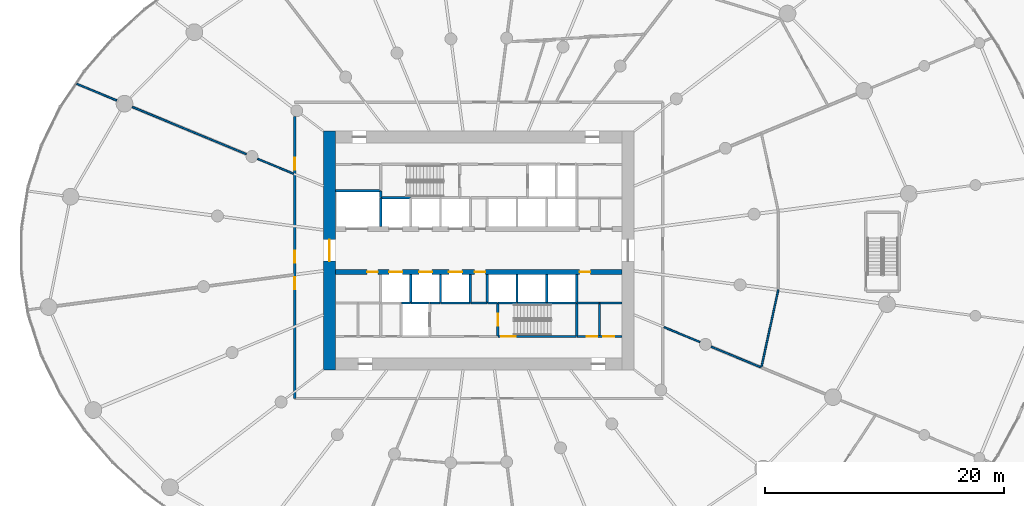
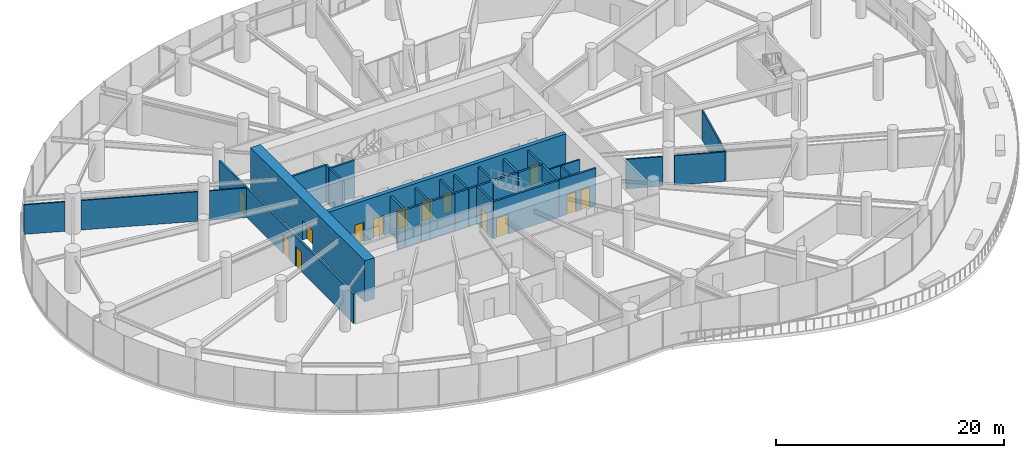
# One storey, part 13 of 21: 36 walls, 14 doors, 14 openings.
"""IFC4 building model written with IfcOpenShell, lengths in metres."""

from ifc_helpers import new_model, si_unit, direction, frame, frame_2d, origin, place, context, subcontext, project, spatial, rectangle, extrude, source, transform, mapped, material, layer, layer_set, type_object, element, fill, save


model = new_model("IFC4")

# Units and contexts
model_context = context("Model", 3, precision=1e-05, world=origin(), true_north=direction((0.0, 1.0)))
body_context = subcontext(model_context, "Body", "Model", "MODEL_VIEW")
ifc_project = project(units=[si_unit("LENGTHUNIT", "METRE"), si_unit("AREAUNIT", "SQUARE_METRE"), si_unit("VOLUMEUNIT", "CUBIC_METRE"), si_unit("PLANEANGLEUNIT", "RADIAN"), si_unit("MASSUNIT", "GRAM", prefix="KILO")], contexts=[model_context])

# Site, building, storey
site_placement = place(None, origin())
site = spatial("IfcSite", under=ifc_project, at=site_placement, CompositionType="ELEMENT")
building_placement = place(site_placement, origin())
building = spatial("IfcBuilding", under=site, at=building_placement, Name="Spindrift Exchange Tower", CompositionType="ELEMENT")
storey_placement = place(building_placement, frame((0.0, 0.0, 9.39990234375)))
storey = spatial("IfcBuildingStorey", under=building, at=storey_placement, Name="L02", CompositionType="ELEMENT", Elevation=9.39990234375)

# Wall, opening, door
ifc_material_1 = material(Name="Concrete 80 MPa", Category="concrete")
ifc_layer_1 = layer(ifc_material_1, 1.0)
ifc_layer_set_1 = layer_set([ifc_layer_1], Name="RC Core Wall 1000 Concrete 80 MPa")
wall_type_1 = type_object("IfcWallType", Name="RC Core Wall 1000 Concrete 80 MPa", PredefinedType="SHEAR", material=ifc_layer_set_1)
wall_1_placement = place(storey_placement, frame((39.5, 58.0, 0.0), z_axis=(0.0, 0.0, 1.0), x_axis=(0.0, -1.0, 0.0)))
wall_1 = element("IfcWall", 1, at=wall_1_placement, inside=storey, type_object=wall_type_1, Name="Core wall W L02", PredefinedType="SHEAR", context=body_context, shape_type="SweptSolid", body=[
    extrude(rectangle(XDim=20.0, YDim=1.0, at=frame_2d((10.0, 0.0))), origin(), (0.0, 0.0, 1.0), 4.400146484375),
])
opening_1_placement = place(wall_1_placement, frame((9.10009765625, 0.0, 0.0)))
opening_1 = element("IfcOpeningElement", 2, at=opening_1_placement, cuts=wall_1, Name="Opening L02-D1", PredefinedType="OPENING", context=body_context, shape_type="SweptSolid", body=[
    extrude(rectangle(XDim=1.800048828125, YDim=2.10009765625, at=frame_2d((0.89990234375, 1.050048828125))), frame((0.0, 0.510009765625, 0.0), z_axis=(0.0, -1.0, 0.0), x_axis=(1.0, 0.0, 0.0)), (0.0, 0.0, 1.0), 1.02001953125),
])
ifc_material_2 = material(Name="Timber-core fire door", Category="wood")
door_type_1 = type_object("IfcDoorType", Name="DR-LOBBY-1800", OperationType="NOTDEFINED", PredefinedType="DOOR", material=ifc_material_2)
shared_shape_1 = source(origin(), body_context, "Body", "SweptSolid", [
    extrude(rectangle(XDim=1.800048828125, YDim=2.10009765625, at=frame_2d((0.89990234375, 1.050048828125))), frame((0.0, 0.02490234375, 0.0), z_axis=(0.0, -1.0, 0.0), x_axis=(1.0, 0.0, 0.0)), (0.0, 0.0, 1.0), 0.050048828125),
])
door_1_placement = place(opening_1_placement, origin())
door_1 = element("IfcDoor", 3, at=door_1_placement, inside=storey, type_object=door_type_1, Name="L02 Lobby door 1", OperationType="SINGLE_SWING_LEFT", OverallHeight=2.10009765625, OverallWidth=1.800048828125, PredefinedType="DOOR", context=body_context, shape_type="MappedRepresentation", body=[
    mapped(shared_shape_1, transform((0.0, 0.0, 0.0), scale=1.0)),
])
fill(opening_1, door_1)

# Wall, openings, doors
ifc_layer_2 = layer(ifc_material_1, 0.39990234375)
ifc_layer_set_2 = layer_set([ifc_layer_2], Name="RC Spine Wall 400 Concrete 80 MPa")
wall_type_2 = type_object("IfcWallType", Name="RC Spine Wall 400 Concrete 80 MPa", PredefinedType="SHEAR", material=ifc_layer_set_2)
wall_2_placement = place(storey_placement, frame((40.0, 46.199951171875, 0.0), z_axis=(0.0, 0.0, 1.0), x_axis=(1.0, 0.0, 0.0)))
wall_2 = element("IfcWall", 4, at=wall_2_placement, inside=storey, type_object=wall_type_2, Name="Core spine wall S L02", PredefinedType="SHEAR", context=body_context, shape_type="SweptSolid", body=[
    extrude(rectangle(XDim=24.0, YDim=0.39990234375, at=frame_2d((12.0, 0.0))), origin(), (0.0, 0.0, 1.0), 4.400146484375),
])
opening_2_placement = place(wall_2_placement, frame((4.5, 0.0, 0.0)))
opening_2 = element("IfcOpeningElement", 5, at=opening_2_placement, cuts=wall_2, Name="Opening L02-D6", PredefinedType="OPENING", context=body_context, shape_type="SweptSolid", body=[
    extrude(rectangle(XDim=1.10009765625, YDim=2.10009765625, at=frame_2d((0.550048828125, 1.050048828125))), frame((0.0, 0.2099609375, 0.0), z_axis=(0.0, -1.0, 0.0), x_axis=(1.0, 0.0, 0.0)), (0.0, 0.0, 1.0), 0.419921875),
])
opening_3_placement = place(wall_2_placement, frame((7.0, 0.0, 0.0)))
opening_3 = element("IfcOpeningElement", 6, at=opening_3_placement, cuts=wall_2, Name="Opening L02-D7", PredefinedType="OPENING", context=body_context, shape_type="SweptSolid", body=[
    extrude(rectangle(XDim=1.10009765625, YDim=2.10009765625, at=frame_2d((0.550048828125, 1.050048828125))), frame((0.0, 0.2099609375, 0.0), z_axis=(0.0, -1.0, 0.0), x_axis=(1.0, 0.0, 0.0)), (0.0, 0.0, 1.0), 0.419921875),
])
opening_4_placement = place(wall_2_placement, frame((9.5, 0.0, 0.0)))
opening_4 = element("IfcOpeningElement", 7, at=opening_4_placement, cuts=wall_2, Name="Opening L02-D8", PredefinedType="OPENING", context=body_context, shape_type="SweptSolid", body=[
    extrude(rectangle(XDim=1.10009765625, YDim=2.10009765625, at=frame_2d((0.550048828125, 1.050048828125))), frame((0.0, 0.2099609375, 0.0), z_axis=(0.0, -1.0, 0.0), x_axis=(1.0, 0.0, 0.0)), (0.0, 0.0, 1.0), 0.419921875),
])
opening_5_placement = place(wall_2_placement, frame((20.449951171875, 0.0, 0.0)))
opening_5 = element("IfcOpeningElement", 8, at=opening_5_placement, cuts=wall_2, Name="Opening L02-D48", PredefinedType="OPENING", context=body_context, shape_type="SweptSolid", body=[
    extrude(rectangle(XDim=0.89990234375, YDim=2.10009765625, at=frame_2d((0.449951171875, 1.050048828125))), frame((0.0, 0.2099609375, 0.0), z_axis=(0.0, -1.0, 0.0), x_axis=(1.0, 0.0, 0.0)), (0.0, 0.0, 1.0), 0.419921875),
])
opening_6_placement = place(wall_2_placement, frame((2.64990234375, 0.0, 0.0)))
opening_6 = element("IfcOpeningElement", 9, at=opening_6_placement, cuts=wall_2, Name="Opening L02-D54", PredefinedType="OPENING", context=body_context, shape_type="SweptSolid", body=[
    extrude(rectangle(XDim=0.89990234375, YDim=2.10009765625, at=frame_2d((0.449951171875, 1.050048828125))), frame((0.0, 0.2099609375, 0.0), z_axis=(0.0, -1.0, 0.0), x_axis=(1.0, 0.0, 0.0)), (0.0, 0.0, 1.0), 0.419921875),
])
opening_7_placement = place(wall_2_placement, frame((11.64990234375, 0.0, 0.0)))
opening_7 = element("IfcOpeningElement", 10, at=opening_7_placement, cuts=wall_2, Name="Opening L02-D56", PredefinedType="OPENING", context=body_context, shape_type="SweptSolid", body=[
    extrude(rectangle(XDim=0.89990234375, YDim=2.10009765625, at=frame_2d((0.449951171875, 1.050048828125))), frame((0.0, 0.2099609375, 0.0), z_axis=(0.0, -1.0, 0.0), x_axis=(1.0, 0.0, 0.0)), (0.0, 0.0, 1.0), 0.419921875),
])
ifc_material_3 = material(Name="Stainless steel landing door", Category="steel")
door_type_2 = type_object("IfcDoorType", Name="DR-LANDING-1100-SL", OperationType="DOUBLE_DOOR_SLIDING", PredefinedType="USERDEFINED", material=ifc_material_3)
shared_shape_2 = source(origin(), body_context, "Body", "SweptSolid", [
    extrude(rectangle(XDim=1.10009765625, YDim=2.10009765625, at=frame_2d((0.550048828125, 1.050048828125))), frame((0.0, 0.02490234375, 0.0), z_axis=(0.0, -1.0, 0.0), x_axis=(1.0, 0.0, 0.0)), (0.0, 0.0, 1.0), 0.050048828125),
])
door_2_placement = place(opening_2_placement, origin())
door_2 = element("IfcDoor", 11, at=door_2_placement, inside=storey, type_object=door_type_2, Name="L02 Lift landing door 6", ObjectType="LANDING DOOR", OperationType="DOUBLE_DOOR_SLIDING", OverallHeight=2.10009765625, OverallWidth=1.10009765625, PredefinedType="USERDEFINED", context=body_context, shape_type="MappedRepresentation", body=[
    mapped(shared_shape_2, transform((0.0, 0.0, 0.0), scale=1.0)),
])
fill(opening_2, door_2)
door_3_placement = place(opening_3_placement, origin())
door_3 = element("IfcDoor", 12, at=door_3_placement, inside=storey, type_object=door_type_2, Name="L02 Lift landing door 7", ObjectType="LANDING DOOR", OperationType="DOUBLE_DOOR_SLIDING", OverallHeight=2.10009765625, OverallWidth=1.10009765625, PredefinedType="USERDEFINED", context=body_context, shape_type="MappedRepresentation", body=[
    mapped(shared_shape_2, transform((0.0, 0.0, 0.0), scale=1.0)),
])
fill(opening_3, door_3)
door_4_placement = place(opening_4_placement, origin())
door_4 = element("IfcDoor", 13, at=door_4_placement, inside=storey, type_object=door_type_2, Name="L02 Lift landing door 8", ObjectType="LANDING DOOR", OperationType="DOUBLE_DOOR_SLIDING", OverallHeight=2.10009765625, OverallWidth=1.10009765625, PredefinedType="USERDEFINED", context=body_context, shape_type="MappedRepresentation", body=[
    mapped(shared_shape_2, transform((0.0, 0.0, 0.0), scale=1.0)),
])
fill(opening_4, door_4)
ifc_material_4 = material(Name="Steel access door", Category="steel")
door_type_3 = type_object("IfcDoorType", Name="DR-RISER-900", OperationType="NOTDEFINED", PredefinedType="DOOR", material=ifc_material_4)
shared_shape_3 = source(origin(), body_context, "Body", "SweptSolid", [
    extrude(rectangle(XDim=0.89990234375, YDim=2.10009765625, at=frame_2d((0.449951171875, 1.050048828125))), frame((0.0, 0.02490234375, 0.0), z_axis=(0.0, -1.0, 0.0), x_axis=(1.0, 0.0, 0.0)), (0.0, 0.0, 1.0), 0.050048828125),
])
door_5_placement = place(opening_5_placement, origin())
door_5 = element("IfcDoor", 14, at=door_5_placement, inside=storey, type_object=door_type_3, Name="L02 Riser door 48", OperationType="SINGLE_SWING_RIGHT", OverallHeight=2.10009765625, OverallWidth=0.89990234375, PredefinedType="DOOR", context=body_context, shape_type="MappedRepresentation", body=[
    mapped(shared_shape_3, transform((0.0, 0.0, 0.0), scale=1.0)),
])
fill(opening_5, door_5)
door_6_placement = place(opening_6_placement, origin())
door_6 = element("IfcDoor", 15, at=door_6_placement, inside=storey, type_object=door_type_3, Name="L02 Riser door 54", OperationType="SINGLE_SWING_RIGHT", OverallHeight=2.10009765625, OverallWidth=0.89990234375, PredefinedType="DOOR", context=body_context, shape_type="MappedRepresentation", body=[
    mapped(shared_shape_3, transform((0.0, 0.0, 0.0), scale=1.0)),
])
fill(opening_6, door_6)
door_7_placement = place(opening_7_placement, origin())
door_7 = element("IfcDoor", 16, at=door_7_placement, inside=storey, type_object=door_type_3, Name="L02 Riser door 56", OperationType="SINGLE_SWING_RIGHT", OverallHeight=2.10009765625, OverallWidth=0.89990234375, PredefinedType="DOOR", context=body_context, shape_type="MappedRepresentation", body=[
    mapped(shared_shape_3, transform((0.0, 0.0, 0.0), scale=1.0)),
])
fill(opening_7, door_7)

ifc_material_5 = material(Name="Fire-rated plasterboard partition", Category="gypsum")
ifc_layer_3 = layer(ifc_material_5, 0.179931640625)
ifc_layer_set_3 = layer_set([ifc_layer_3], Name="W-CORR-180")
wall_type_3 = type_object("IfcWallType", Name="W-CORR-180", PredefinedType="PARTITIONING", material=ifc_layer_set_3)
wall_3_placement = place(storey_placement, frame((60.22998046875, 40.800048828125, 0.0), z_axis=(0.0, 0.0, 1.0), x_axis=(1.0, 0.0, 0.0)))
wall_3 = element("IfcWall", 17, at=wall_3_placement, inside=storey, type_object=wall_type_3, Name="L02 Partition wall 67", PredefinedType="PARTITIONING", context=body_context, shape_type="SweptSolid", body=[
    extrude(rectangle(XDim=3.75, YDim=0.179931640625, at=frame_2d((1.875, 0.0))), origin(), (0.0, 0.0, 1.0), 3.9501953125),
])
opening_8_placement = place(wall_3_placement, frame((0.800048828125, 0.0, 0.0)))
opening_8 = element("IfcOpeningElement", 18, at=opening_8_placement, cuts=wall_3, Name="Opening L02-D52", PredefinedType="OPENING", context=body_context, shape_type="SweptSolid", body=[
    extrude(rectangle(XDim=0.89990234375, YDim=2.10009765625, at=frame_2d((0.449951171875, 1.050048828125))), frame((0.0, 0.099853515625, 0.0), z_axis=(0.0, -1.0, 0.0), x_axis=(1.0, 0.0, 0.0)), (0.0, 0.0, 1.0), 0.199951171875),
])
opening_9_placement = place(wall_3_placement, frame((2.199951171875, 0.0, 0.0)))
opening_9 = element("IfcOpeningElement", 19, at=opening_9_placement, cuts=wall_3, Name="Opening L02-D53", PredefinedType="OPENING", context=body_context, shape_type="SweptSolid", body=[
    extrude(rectangle(XDim=0.89990234375, YDim=2.10009765625, at=frame_2d((0.449951171875, 1.050048828125))), frame((0.0, 0.099853515625, 0.0), z_axis=(0.0, -1.0, 0.0), x_axis=(1.0, 0.0, 0.0)), (0.0, 0.0, 1.0), 0.199951171875),
])
door_8_placement = place(opening_8_placement, origin())
door_8 = element("IfcDoor", 20, at=door_8_placement, inside=storey, type_object=door_type_3, Name="L02 Riser door 52", OperationType="SINGLE_SWING_RIGHT", OverallHeight=2.10009765625, OverallWidth=0.89990234375, PredefinedType="DOOR", context=body_context, shape_type="MappedRepresentation", body=[
    mapped(shared_shape_3, transform((0.0, 0.0, 0.0), scale=1.0)),
])
fill(opening_8, door_8)
door_9_placement = place(opening_9_placement, origin())
door_9 = element("IfcDoor", 21, at=door_9_placement, inside=storey, type_object=door_type_3, Name="L02 Riser door 53", OperationType="SINGLE_SWING_LEFT", OverallHeight=2.10009765625, OverallWidth=0.89990234375, PredefinedType="DOOR", context=body_context, shape_type="MappedRepresentation", body=[
    mapped(shared_shape_3, transform((0.0, 0.0, 0.0), scale=1.0)),
])
fill(opening_9, door_9)

# Walls
ifc_layer_4 = layer(ifc_material_5, 0.139892578125)
ifc_layer_set_4 = layer_set([ifc_layer_4], Name="W-PART-140")
wall_type_4 = type_object("IfcWallType", Name="W-PART-140", PredefinedType="PARTITIONING", material=ifc_layer_set_4)
wall_4_placement = place(storey_placement, frame((75.64990234375, 38.203857421875, 0.0), z_axis=(0.0, 0.0, 1.0), x_axis=(0.212219247402, 0.977222078666, 0.0)))
element("IfcWall", 22, at=wall_4_placement, inside=storey, type_object=wall_type_4, Name="L02 Partition wall 85", PredefinedType="PARTITIONING", context=body_context, shape_type="SweptSolid", body=[
    extrude(rectangle(XDim=6.648193359375, YDim=0.139892578125, at=frame_2d((3.32421875, 0.0))), origin(), (0.0, 0.0, 1.0), 3.150146484375),
])
wall_5_placement = place(storey_placement, frame((62.10009765625, 40.889892578125, 0.0), z_axis=(0.0, 0.0, 1.0), x_axis=(0.0, 1.0, 0.0)))
element("IfcWall", 23, at=wall_5_placement, inside=storey, type_object=wall_type_4, Name="L02 Partition wall 114", PredefinedType="PARTITIONING", context=body_context, shape_type="SweptSolid", body=[
    extrude(rectangle(XDim=2.710205078125, YDim=0.139892578125, at=frame_2d((1.35498046875, 0.0))), origin(), (0.0, 0.0, 1.0), 3.150146484375),
])
wall_6_placement = place(storey_placement, frame((60.22998046875, 43.60009765625, 0.0), z_axis=(0.0, 0.0, 1.0), x_axis=(1.0, 0.0, 0.0)))
element("IfcWall", 24, at=wall_6_placement, inside=storey, type_object=wall_type_4, Name="L02 Partition wall 123", PredefinedType="PARTITIONING", context=body_context, shape_type="SweptSolid", body=[
    extrude(rectangle(XDim=1.840087890625, YDim=0.139892578125, at=frame_2d((0.919921875, 0.0))), origin(), (0.0, 0.0, 1.0), 3.150146484375),
])
wall_7_placement = place(storey_placement, frame((62.1298828125, 43.60009765625, 0.0), z_axis=(0.0, 0.0, 1.0), x_axis=(1.0, 0.0, 0.0)))
element("IfcWall", 25, at=wall_7_placement, inside=storey, type_object=wall_type_4, Name="L02 Partition wall 126", PredefinedType="PARTITIONING", context=body_context, shape_type="SweptSolid", body=[
    extrude(rectangle(XDim=1.85009765625, YDim=0.139892578125, at=frame_2d((0.925048828125, 0.0))), origin(), (0.0, 0.0, 1.0), 3.150146484375),
])
ifc_layer_5 = layer(ifc_material_5, 0.139892578125)
ifc_layer_set_5 = layer_set([ifc_layer_5], Name="W-PLANT-140")
wall_type_5 = type_object("IfcWallType", Name="W-PLANT-140", PredefinedType="PARTITIONING", material=ifc_layer_set_5)
wall_8_placement = place(storey_placement, frame((32.560791015625, 56.052001953125, 0.0), z_axis=(0.0, 0.0, 1.0), x_axis=(-0.923874685699, 0.382695133396, 0.0)))
element("IfcWall", 26, at=wall_8_placement, inside=storey, type_object=wall_type_5, Name="L02 Partition wall 71", PredefinedType="PARTITIONING", context=body_context, shape_type="SweptSolid", body=[
    extrude(rectangle(XDim=10.341064453125, YDim=0.139892578125, at=frame_2d((5.17041015625, 0.0))), origin(), (0.0, 0.0, 1.0), 3.150146484375),
])
wall_9_placement = place(storey_placement, frame((71.439208984375, 39.947998046875, 0.0), z_axis=(0.0, 0.0, 1.0), x_axis=(0.923881526718, -0.382678617888, 0.0)))
element("IfcWall", 27, at=wall_9_placement, inside=storey, type_object=wall_type_5, Name="L02 Partition wall 94", PredefinedType="PARTITIONING", context=body_context, shape_type="SweptSolid", body=[
    extrude(rectangle(XDim=4.486328125, YDim=0.139892578125, at=frame_2d((2.2431640625, 0.0))), origin(), (0.0, 0.0, 1.0), 3.150146484375),
])
wall_10_placement = place(storey_placement, frame((21.7041015625, 60.549072265625, 0.0), z_axis=(0.0, 0.0, 1.0), x_axis=(-0.923890168451, 0.382657753926, 0.0)))
element("IfcWall", 28, at=wall_10_placement, inside=storey, type_object=wall_type_5, Name="L02 Partition wall 105", PredefinedType="PARTITIONING", context=body_context, shape_type="SweptSolid", body=[
    extrude(rectangle(XDim=3.64111328125, YDim=0.139892578125, at=frame_2d((1.820556640625, 0.0))), origin(), (0.0, 0.0, 1.0), 3.150146484375),
])
for number, where, z_axis, x_axis, name in (
    (29, (36.510009765625, 54.416259765625, 0.0), (0.0, 0.0, 1.0), (-0.923911109142, 0.382607190737, 0.0), "L02 Partition wall 106"),
    (30, (67.489990234375, 41.583740234375, 0.0), (0.0, 0.0, 1.0), (0.923911109142, -0.382607190737, 0.0), "L02 Partition wall 107"),
):
    element("IfcWall", number, at=place(storey_placement, frame(where, z_axis=z_axis, x_axis=x_axis)), inside=storey, type_object=wall_type_5, Name=name, PredefinedType="PARTITIONING", context=body_context, shape_type="SweptSolid", body=[
        extrude(rectangle(XDim=3.264404296875, YDim=0.139892578125, at=frame_2d((1.63232421875, 0.0))), origin(), (0.0, 0.0, 1.0), 3.150146484375),
    ])

# Wall, openings, doors
ifc_layer_6 = layer(ifc_material_5, 0.179931640625)
ifc_layer_set_6 = layer_set([ifc_layer_6], Name="W-PLANT-180")
wall_type_6 = type_object("IfcWallType", Name="W-PLANT-180", PredefinedType="PARTITIONING", material=ifc_layer_set_6)
wall_11_placement = place(storey_placement, frame((36.60009765625, 35.6298828125, 0.0), z_axis=(0.0, 0.0, 1.0), x_axis=(0.0, 1.0, 0.0)))
wall_11 = element("IfcWall", 31, at=wall_11_placement, inside=storey, type_object=wall_type_6, Name="L02 Partition wall 64", PredefinedType="PARTITIONING", context=body_context, shape_type="SweptSolid", body=[
    extrude(rectangle(XDim=23.58251953125, YDim=0.179931640625, at=frame_2d((11.791259765625, 0.0))), origin(), (0.0, 0.0, 1.0), 3.150146484375),
])
opening_10_placement = place(wall_11_placement, frame((19.132568359375, 0.0, 0.0)))
opening_10 = element("IfcOpeningElement", 32, at=opening_10_placement, cuts=wall_11, Name="Opening L02-D33", PredefinedType="OPENING", context=body_context, shape_type="SweptSolid", body=[
    extrude(rectangle(XDim=1.0, YDim=2.10009765625, at=frame_2d((0.5, 1.050048828125))), frame((0.0, 0.099853515625, 0.0), z_axis=(0.0, -1.0, 0.0), x_axis=(1.0, 0.0, 0.0)), (0.0, 0.0, 1.0), 0.199951171875),
])
opening_11_placement = place(wall_11_placement, frame((11.33251953125, 0.0, 0.0)))
opening_11 = element("IfcOpeningElement", 33, at=opening_11_placement, cuts=wall_11, Name="Opening L02-D34", PredefinedType="OPENING", context=body_context, shape_type="SweptSolid", body=[
    extrude(rectangle(XDim=1.0, YDim=2.10009765625, at=frame_2d((0.5, 1.050048828125))), frame((0.0, 0.099853515625, 0.0), z_axis=(0.0, -1.0, 0.0), x_axis=(1.0, 0.0, 0.0)), (0.0, 0.0, 1.0), 0.199951171875),
])
opening_12_placement = place(wall_11_placement, frame((9.132568359375, 0.0, 0.0)))
opening_12 = element("IfcOpeningElement", 34, at=opening_12_placement, cuts=wall_11, Name="Opening L02-D35", PredefinedType="OPENING", context=body_context, shape_type="SweptSolid", body=[
    extrude(rectangle(XDim=1.0, YDim=2.10009765625, at=frame_2d((0.5, 1.050048828125))), frame((0.0, 0.099853515625, 0.0), z_axis=(0.0, -1.0, 0.0), x_axis=(1.0, 0.0, 0.0)), (0.0, 0.0, 1.0), 0.199951171875),
])
door_type_4 = type_object("IfcDoorType", Name="DR-ROOM-1000", OperationType="NOTDEFINED", PredefinedType="DOOR", material=ifc_material_2)
shared_shape_4 = source(origin(), body_context, "Body", "SweptSolid", [
    extrude(rectangle(XDim=1.0, YDim=2.10009765625, at=frame_2d((0.5, 1.050048828125))), frame((0.0, 0.02490234375, 0.0), z_axis=(0.0, -1.0, 0.0), x_axis=(1.0, 0.0, 0.0)), (0.0, 0.0, 1.0), 0.050048828125),
])
door_10_placement = place(opening_10_placement, origin())
door_10 = element("IfcDoor", 35, at=door_10_placement, inside=storey, type_object=door_type_4, Name="L02 Door 33", OperationType="SINGLE_SWING_LEFT", OverallHeight=2.10009765625, OverallWidth=1.0, PredefinedType="DOOR", context=body_context, shape_type="MappedRepresentation", body=[
    mapped(shared_shape_4, transform((0.0, 0.0, 0.0), scale=1.0)),
])
fill(opening_10, door_10)
door_11_placement = place(opening_11_placement, origin())
door_11 = element("IfcDoor", 36, at=door_11_placement, inside=storey, type_object=door_type_4, Name="L02 Door 34", OperationType="SINGLE_SWING_RIGHT", OverallHeight=2.10009765625, OverallWidth=1.0, PredefinedType="DOOR", context=body_context, shape_type="MappedRepresentation", body=[
    mapped(shared_shape_4, transform((0.0, 0.0, 0.0), scale=1.0)),
])
fill(opening_11, door_11)
door_12_placement = place(opening_12_placement, origin())
door_12 = element("IfcDoor", 37, at=door_12_placement, inside=storey, type_object=door_type_4, Name="L02 Door 35", OperationType="SINGLE_SWING_LEFT", OverallHeight=2.10009765625, OverallWidth=1.0, PredefinedType="DOOR", context=body_context, shape_type="MappedRepresentation", body=[
    mapped(shared_shape_4, transform((0.0, 0.0, 0.0), scale=1.0)),
])
fill(opening_12, door_12)

# Walls
ifc_material_6 = material(Name="Concrete 40 MPa", Category="concrete")
ifc_layer_7 = layer(ifc_material_6, 0.199951171875)
ifc_layer_set_7 = layer_set([ifc_layer_7], Name="W-SHAFT-200")
wall_type_7 = type_object("IfcWallType", Name="W-SHAFT-200", PredefinedType="SOLIDWALL", material=ifc_layer_set_7)
wall_12_placement = place(storey_placement, frame((48.800048828125, 43.60009765625, 0.0), z_axis=(0.0, 0.0, 1.0), x_axis=(1.0, 0.0, 0.0)))
element("IfcWall", 38, at=wall_12_placement, inside=storey, type_object=wall_type_7, Name="L02 Shaft wall 21", PredefinedType="SOLIDWALL", context=body_context, shape_type="SweptSolid", body=[
    extrude(rectangle(XDim=2.5, YDim=0.199951171875, at=frame_2d((1.25, 0.0))), origin(), (0.0, 0.0, 1.0), 3.9501953125),
])
wall_13_placement = place(storey_placement, frame((46.300048828125, 43.60009765625, 0.0), z_axis=(0.0, 0.0, 1.0), x_axis=(0.0, 1.0, 0.0)))
element("IfcWall", 39, at=wall_13_placement, inside=storey, type_object=wall_type_7, Name="L02 Shaft wall 29", PredefinedType="SOLIDWALL", context=body_context, shape_type="SweptSolid", body=[
    extrude(rectangle(XDim=2.389892578125, YDim=0.199951171875, at=frame_2d((1.19482421875, 0.0))), origin(), (0.0, 0.0, 1.0), 3.9501953125),
])
for number, where, z_axis, x_axis, name in (
    (40, (48.800048828125, 43.6298828125, 0.0), (0.0, 0.0, 1.0), (0.0, 1.0, 0.0), "L02 Shaft wall 31"),
    (41, (51.300048828125, 43.6298828125, 0.0), (0.0, 0.0, 1.0), (0.0, 1.0, 0.0), "L02 Shaft wall 33"),
):
    element("IfcWall", number, at=place(storey_placement, frame(where, z_axis=z_axis, x_axis=x_axis)), inside=storey, type_object=wall_type_7, Name=name, PredefinedType="SOLIDWALL", context=body_context, shape_type="SweptSolid", body=[
        extrude(rectangle(XDim=2.360107421875, YDim=0.199951171875, at=frame_2d((1.18017578125, 0.0))), origin(), (0.0, 0.0, 1.0), 3.9501953125),
    ])
wall_14_placement = place(storey_placement, frame((52.699951171875, 45.989990234375, 0.0), z_axis=(0.0, 0.0, 1.0), x_axis=(0.0, -1.0, 0.0)))
element("IfcWall", 42, at=wall_14_placement, inside=storey, type_object=wall_type_7, Name="L02 Shaft wall 35", PredefinedType="SOLIDWALL", context=body_context, shape_type="SweptSolid", body=[
    extrude(rectangle(XDim=2.389892578125, YDim=0.199951171875, at=frame_2d((1.19482421875, 0.0))), origin(), (0.0, 0.0, 1.0), 3.9501953125),
])
wall_15_placement = place(storey_placement, frame((46.330078125, 43.60009765625, 0.0), z_axis=(0.0, 0.0, 1.0), x_axis=(1.0, 0.0, 0.0)))
element("IfcWall", 43, at=wall_15_placement, inside=storey, type_object=wall_type_7, Name="L02 Shaft wall 48", PredefinedType="SOLIDWALL", context=body_context, shape_type="SweptSolid", body=[
    extrude(rectangle(XDim=1.5400390625, YDim=0.199951171875, at=frame_2d((0.77001953125, 0.0))), origin(), (0.0, 0.0, 1.0), 3.9501953125),
])
wall_16_placement = place(storey_placement, frame((52.669921875, 43.60009765625, 0.0), z_axis=(0.0, 0.0, 1.0), x_axis=(-1.0, 0.0, 0.0)))
element("IfcWall", 44, at=wall_16_placement, inside=storey, type_object=wall_type_7, Name="L02 Shaft wall 52", PredefinedType="SOLIDWALL", context=body_context, shape_type="SweptSolid", body=[
    extrude(rectangle(XDim=1.33984375, YDim=0.199951171875, at=frame_2d((0.669921875, 0.0))), origin(), (0.0, 0.0, 1.0), 3.9501953125),
])
wall_17_placement = place(storey_placement, frame((47.929931640625, 43.60009765625, 0.0), z_axis=(0.0, 0.0, 1.0), x_axis=(1.0, 0.0, 0.0)))
element("IfcWall", 45, at=wall_17_placement, inside=storey, type_object=wall_type_7, Name="L02 Shaft wall 54", PredefinedType="SOLIDWALL", context=body_context, shape_type="SweptSolid", body=[
    extrude(rectangle(XDim=0.840087890625, YDim=0.199951171875, at=frame_2d((0.419921875, 0.0))), origin(), (0.0, 0.0, 1.0), 3.9501953125),
])
wall_18_placement = place(storey_placement, frame((45.530029296875, 43.60009765625, 0.0), z_axis=(0.0, 0.0, 1.0), x_axis=(1.0, 0.0, 0.0)))
element("IfcWall", 46, at=wall_18_placement, inside=storey, type_object=wall_type_7, Name="L02 Shaft wall 58", PredefinedType="SOLIDWALL", context=body_context, shape_type="SweptSolid", body=[
    extrude(rectangle(XDim=0.739990234375, YDim=0.199951171875, at=frame_2d((0.3701171875, 0.0))), origin(), (0.0, 0.0, 1.0), 3.9501953125),
])

# Wall, opening, door
ifc_layer_8 = layer(ifc_material_6, 0.199951171875)
ifc_layer_set_8 = layer_set([ifc_layer_8], Name="W-SHAFT-200-LB")
wall_type_8 = type_object("IfcWallType", Name="W-SHAFT-200-LB", PredefinedType="SOLIDWALL", material=ifc_layer_set_8)
wall_19_placement = place(storey_placement, frame((53.60009765625, 40.800048828125, 0.0), z_axis=(0.0, 0.0, 1.0), x_axis=(1.0, 0.0, 0.0)))
wall_19 = element("IfcWall", 47, at=wall_19_placement, inside=storey, type_object=wall_type_8, Name="L02 Shaft wall 2", PredefinedType="SOLIDWALL", context=body_context, shape_type="SweptSolid", body=[
    extrude(rectangle(XDim=6.599853515625, YDim=0.199951171875, at=frame_2d((3.2998046875, 0.0))), origin(), (0.0, 0.0, 1.0), 3.9501953125),
])
opening_13_placement = place(wall_19_placement, frame((0.300048828125, 0.0, 0.0)))
opening_13 = element("IfcOpeningElement", 48, at=opening_13_placement, cuts=wall_19, Name="Opening L02-D16", PredefinedType="OPENING", context=body_context, shape_type="SweptSolid", body=[
    extrude(rectangle(XDim=1.199951171875, YDim=2.10009765625, at=frame_2d((0.60009765625, 1.050048828125))), frame((0.0, 0.10986328125, 0.0), z_axis=(0.0, -1.0, 0.0), x_axis=(1.0, 0.0, 0.0)), (0.0, 0.0, 1.0), 0.219970703125),
])
ifc_material_7 = material(Name="Steel fire door", Category="steel")
door_type_5 = type_object("IfcDoorType", Name="DR-STAIR-1200", OperationType="NOTDEFINED", PredefinedType="DOOR", material=ifc_material_7)
shared_shape_5 = source(origin(), body_context, "Body", "SweptSolid", [
    extrude(rectangle(XDim=1.199951171875, YDim=2.10009765625, at=frame_2d((0.60009765625, 1.050048828125))), frame((0.0, 0.02490234375, 0.0), z_axis=(0.0, -1.0, 0.0), x_axis=(1.0, 0.0, 0.0)), (0.0, 0.0, 1.0), 0.050048828125),
])
door_13_placement = place(opening_13_placement, origin())
door_13 = element("IfcDoor", 49, at=door_13_placement, inside=storey, type_object=door_type_5, Name="L02 Stair door 16", OperationType="SINGLE_SWING_RIGHT", OverallHeight=2.10009765625, OverallWidth=1.199951171875, PredefinedType="DOOR", context=body_context, shape_type="MappedRepresentation", body=[
    mapped(shared_shape_5, transform((0.0, 0.0, 0.0), scale=1.0)),
])
fill(opening_13, door_13)

# Walls
wall_20_placement = place(storey_placement, frame((43.800048828125, 53.0, 0.0), z_axis=(0.0, 0.0, 1.0), x_axis=(-1.0, 0.0, 0.0)))
element("IfcWall", 50, at=wall_20_placement, inside=storey, type_object=wall_type_8, Name="L02 Shaft wall 7", PredefinedType="SOLIDWALL", context=body_context, shape_type="SweptSolid", body=[
    extrude(rectangle(XDim=3.780029296875, YDim=0.199951171875, at=frame_2d((1.89013671875, 0.0))), origin(), (0.0, 0.0, 1.0), 3.9501953125),
])
wall_21_placement = place(storey_placement, frame((60.199951171875, 40.830078125, 0.0), z_axis=(0.0, 0.0, 1.0), x_axis=(0.0, 1.0, 0.0)))
element("IfcWall", 51, at=wall_21_placement, inside=storey, type_object=wall_type_8, Name="L02 Shaft wall 12", PredefinedType="SOLIDWALL", context=body_context, shape_type="SweptSolid", body=[
    extrude(rectangle(XDim=2.77001953125, YDim=0.199951171875, at=frame_2d((1.385009765625, 0.0))), origin(), (0.0, 0.0, 1.0), 3.9501953125),
])

# Wall, opening, door
wall_22_placement = place(storey_placement, frame((53.60009765625, 43.60009765625, 0.0), z_axis=(0.0, 0.0, 1.0), x_axis=(0.0, -1.0, 0.0)))
wall_22 = element("IfcWall", 52, at=wall_22_placement, inside=storey, type_object=wall_type_8, Name="L02 Shaft wall 13", PredefinedType="SOLIDWALL", context=body_context, shape_type="SweptSolid", body=[
    extrude(rectangle(XDim=2.77001953125, YDim=0.199951171875, at=frame_2d((1.385009765625, 0.0))), origin(), (0.0, 0.0, 1.0), 3.9501953125),
])
opening_14_placement = place(wall_22_placement, frame((0.89990234375, 0.0, 0.0)))
opening_14 = element("IfcOpeningElement", 53, at=opening_14_placement, cuts=wall_22, Name="Opening L02-D17", PredefinedType="OPENING", context=body_context, shape_type="SweptSolid", body=[
    extrude(rectangle(XDim=1.0, YDim=2.10009765625, at=frame_2d((0.5, 1.050048828125))), frame((0.0, 0.10986328125, 0.0), z_axis=(0.0, -1.0, 0.0), x_axis=(1.0, 0.0, 0.0)), (0.0, 0.0, 1.0), 0.219970703125),
])
door_type_6 = type_object("IfcDoorType", Name="DR-STAIR-1000", OperationType="NOTDEFINED", PredefinedType="DOOR", material=ifc_material_7)
shared_shape_6 = source(origin(), body_context, "Body", "SweptSolid", [
    extrude(rectangle(XDim=1.0, YDim=2.10009765625, at=frame_2d((0.5, 1.050048828125))), frame((0.0, 0.02490234375, 0.0), z_axis=(0.0, -1.0, 0.0), x_axis=(1.0, 0.0, 0.0)), (0.0, 0.0, 1.0), 0.050048828125),
])
door_14_placement = place(opening_14_placement, origin())
door_14 = element("IfcDoor", 54, at=door_14_placement, inside=storey, type_object=door_type_6, Name="L02 Stair door 17", OperationType="SINGLE_SWING_LEFT", OverallHeight=2.10009765625, OverallWidth=1.0, PredefinedType="DOOR", context=body_context, shape_type="MappedRepresentation", body=[
    mapped(shared_shape_6, transform((0.0, 0.0, 0.0), scale=1.0)),
])
fill(opening_14, door_14)

# Walls
for number, where, z_axis, x_axis, name in (
    (55, (46.300048828125, 52.39990234375, 0.0), (0.0, 0.0, 1.0), (-1.0, 0.0, 0.0), "L02 Shaft wall 19"),
    (56, (55.199951171875, 43.60009765625, 0.0), (0.0, 0.0, 1.0), (1.0, 0.0, 0.0), "L02 Shaft wall 23"),
):
    element("IfcWall", number, at=place(storey_placement, frame(where, z_axis=z_axis, x_axis=x_axis)), inside=storey, type_object=wall_type_8, Name=name, PredefinedType="SOLIDWALL", context=body_context, shape_type="SweptSolid", body=[
        extrude(rectangle(XDim=2.5, YDim=0.199951171875, at=frame_2d((1.25, 0.0))), origin(), (0.0, 0.0, 1.0), 3.9501953125),
    ])
wall_23_placement = place(storey_placement, frame((57.72998046875, 43.60009765625, 0.0), z_axis=(0.0, 0.0, 1.0), x_axis=(1.0, 0.0, 0.0)))
element("IfcWall", 57, at=wall_23_placement, inside=storey, type_object=wall_type_8, Name="L02 Shaft wall 24", PredefinedType="SOLIDWALL", context=body_context, shape_type="SweptSolid", body=[
    extrude(rectangle(XDim=2.43994140625, YDim=0.199951171875, at=frame_2d((1.219970703125, 0.0))), origin(), (0.0, 0.0, 1.0), 3.9501953125),
])
for number, where, z_axis, x_axis, name in (
    (58, (43.800048828125, 52.3701171875, 0.0), (0.0, 0.0, 1.0), (0.0, -1.0, 0.0), "L02 Shaft wall 28"),
    (59, (55.199951171875, 43.6298828125, 0.0), (0.0, 0.0, 1.0), (0.0, 1.0, 0.0), "L02 Shaft wall 37"),
    (60, (57.699951171875, 43.6298828125, 0.0), (0.0, 0.0, 1.0), (0.0, 1.0, 0.0), "L02 Shaft wall 39"),
    (61, (60.199951171875, 43.6298828125, 0.0), (0.0, 0.0, 1.0), (0.0, 1.0, 0.0), "L02 Shaft wall 41"),
):
    element("IfcWall", number, at=place(storey_placement, frame(where, z_axis=z_axis, x_axis=x_axis)), inside=storey, type_object=wall_type_8, Name=name, PredefinedType="SOLIDWALL", context=body_context, shape_type="SweptSolid", body=[
        extrude(rectangle(XDim=2.360107421875, YDim=0.199951171875, at=frame_2d((1.18017578125, 0.0))), origin(), (0.0, 0.0, 1.0), 3.9501953125),
    ])
wall_24_placement = place(storey_placement, frame((53.6298828125, 43.60009765625, 0.0), z_axis=(0.0, 0.0, 1.0), x_axis=(1.0, 0.0, 0.0)))
element("IfcWall", 62, at=wall_24_placement, inside=storey, type_object=wall_type_8, Name="L02 Shaft wall 50", PredefinedType="SOLIDWALL", context=body_context, shape_type="SweptSolid", body=[
    extrude(rectangle(XDim=1.5400390625, YDim=0.199951171875, at=frame_2d((0.77001953125, 0.0))), origin(), (0.0, 0.0, 1.0), 3.9501953125),
])
wall_25_placement = place(storey_placement, frame((52.72998046875, 43.60009765625, 0.0), z_axis=(0.0, 0.0, 1.0), x_axis=(1.0, 0.0, 0.0)))
element("IfcWall", 63, at=wall_25_placement, inside=storey, type_object=wall_type_8, Name="L02 Shaft wall 56", PredefinedType="SOLIDWALL", context=body_context, shape_type="SweptSolid", body=[
    extrude(rectangle(XDim=0.840087890625, YDim=0.199951171875, at=frame_2d((0.419921875, 0.0))), origin(), (0.0, 0.0, 1.0), 3.9501953125),
])
wall_26_placement = place(storey_placement, frame((43.800048828125, 52.429931640625, 0.0), z_axis=(0.0, 0.0, 1.0), x_axis=(0.0, 1.0, 0.0)))
element("IfcWall", 64, at=wall_26_placement, inside=storey, type_object=wall_type_8, Name="L02 Shaft wall 60", PredefinedType="SOLIDWALL", context=body_context, shape_type="SweptSolid", body=[
    extrude(rectangle(XDim=0.5400390625, YDim=0.199951171875, at=frame_2d((0.27001953125, 0.0))), origin(), (0.0, 0.0, 1.0), 3.9501953125),
])

save(model, "model.ifc")
